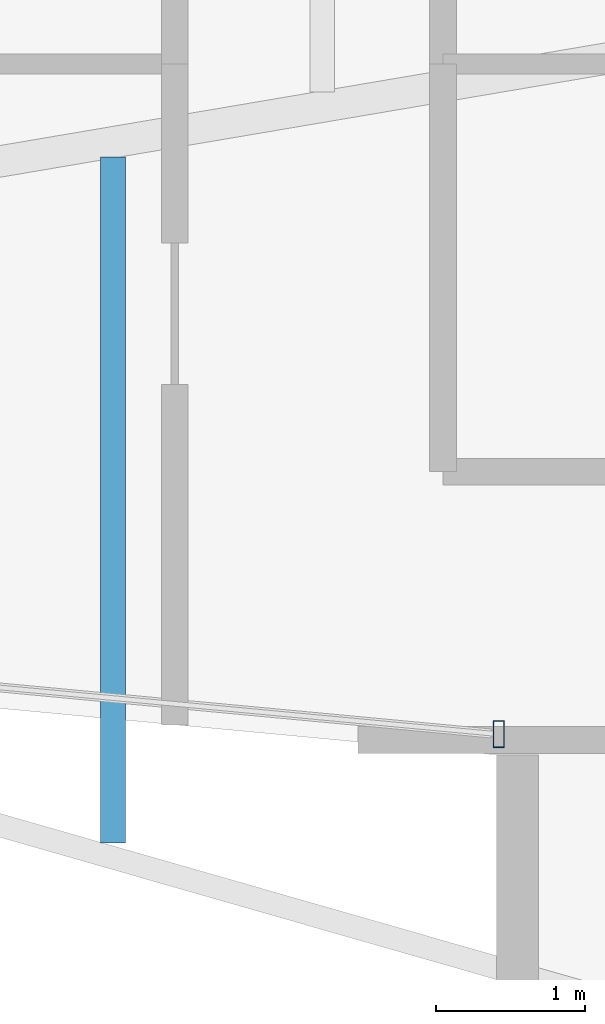
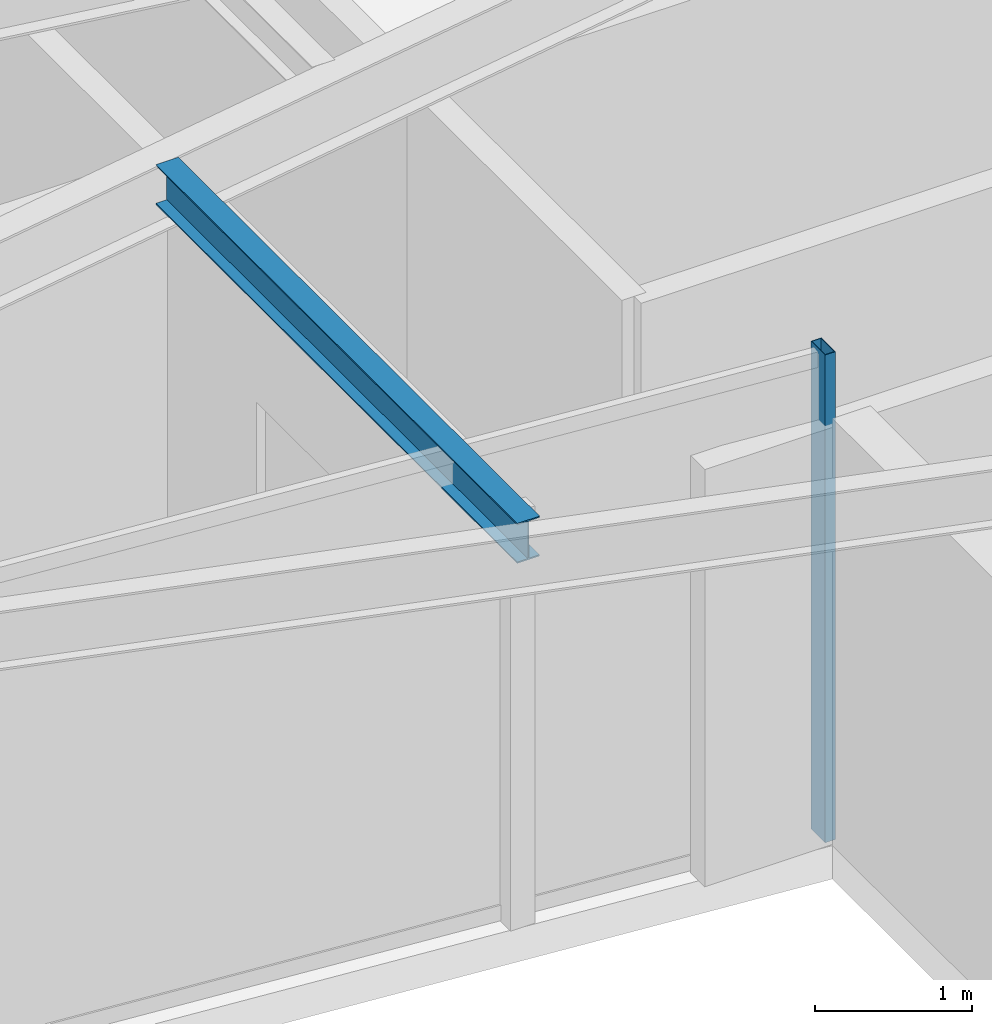
# One storey, part 4 of 22: 1 beam, 1 member, 1 element without a shape of its own.
"""IFC4 building model written with IfcOpenShell, lengths in metres."""

from ifc_helpers import new_model, si_unit, direction, frame, origin, origin_2d, place, context, subcontext, project, spatial, hollow_rectangle, i_section, extrude, material, layer, layer_set, material_profile, profile_set, type_object, element, aggregate, save


model = new_model("IFC4")

# Units and contexts
model_context = context("Model", 3, precision=1e-05, world=origin(), true_north=direction((0.0, 1.0)))
body_context = subcontext(model_context, "Body", "Model", "MODEL_VIEW")
ifc_project = project(units=[si_unit("LENGTHUNIT", "METRE"), si_unit("AREAUNIT", "SQUARE_METRE"), si_unit("VOLUMEUNIT", "CUBIC_METRE"), si_unit("PLANEANGLEUNIT", "RADIAN"), si_unit("MASSUNIT", "GRAM", prefix="KILO")], contexts=[model_context])

# Site, building, storey
site_placement = place(None, origin())
site = spatial("IfcSite", under=ifc_project, at=site_placement, CompositionType="ELEMENT")
building_placement = place(site_placement, origin())
building = spatial("IfcBuilding", under=site, at=building_placement, Name="Veymaron Broadcast Tower", CompositionType="ELEMENT")
storey_placement = place(building_placement, frame((0.0, 0.0, 216.14990234375)))
storey = spatial("IfcBuildingStorey", under=building, at=storey_placement, Name="L50", CompositionType="ELEMENT", Elevation=216.14990234375)

# Beam
ifc_material_1 = material(Name="Structural steel ASTM A992 Gr 50", Category="steel")
ifc_material_profile_1 = material_profile(ifc_material_1, i_section(OverallWidth=0.1650390625, OverallDepth=0.31005859375, WebThickness=0.005859375, FlangeThickness=0.009765625, at=origin_2d()), Name="W310X39")
ifc_profile_set_1 = profile_set([ifc_material_profile_1], Name="Structural steel ASTM A992 Gr 50")
beam_type = type_object("IfcBeamType", Name="BM-JS3", PredefinedType="JOIST", material=ifc_profile_set_1)
beam_placement = place(storey_placement, frame((24.18603515625, 18.110107421875, 3.635009765625), z_axis=(0.0, 1.0, 0.0), x_axis=(-1.0, 0.0, 0.0)))
element("IfcBeam", 1, at=beam_placement, inside=storey, type_object=beam_type, Name="L50 Arm-A secondary joist 2S", PredefinedType="JOIST", context=body_context, shape_type="SweptSolid", body=[
    extrude(i_section(OverallWidth=0.1650390625, OverallDepth=0.31005859375, WebThickness=0.005859375, FlangeThickness=0.009765625, at=origin_2d()), origin(), (0.0, 0.0, 1.0), 4.599853515625),
])

# Curtain wall, member
ifc_material_2 = material(Name="Anodised aluminium AA 6063-T6 and laminated low-E dark glass", Category="aluminium")
ifc_layer = layer(ifc_material_2, 0.179931640625)
ifc_layer_set = layer_set([ifc_layer], Name="Anodised aluminium AA 6063-T6 and laminated low-E dark glass")
curtain_wall_type = type_object("IfcCurtainWallType", Name="CW-SYS-05", PredefinedType="NOTDEFINED", material=ifc_layer_set)
curtain_wall_placement = place(storey_placement, origin())
curtain_wall = element("IfcCurtainWall", 2, at=curtain_wall_placement, inside=storey, type_object=curtain_wall_type, Name="L50 dark-glass curtain wall CW-L50-E14-1", PredefinedType="NOTDEFINED")
ifc_material_3 = material(Name="Anodised aluminium AA 6063-T6", Category="aluminium")
ifc_material_profile_2 = material_profile(ifc_material_3, hollow_rectangle(XDim=0.074951171875, YDim=0.179931640625, WallThickness=0.0048828125, at=origin_2d()), Name="AL180X75X5")
ifc_profile_set_2 = profile_set([ifc_material_profile_2], Name="Anodised aluminium AA 6063-T6")
member_type = type_object("IfcMemberType", Name="CW-MUL-02", PredefinedType="MULLION", material=ifc_profile_set_2)
member_placement = place(storey_placement, frame((26.773193359375, 18.839111328125, 0.0), z_axis=(0.0, 0.0, 1.0), x_axis=(1.0, 0.0, 0.0)))
member = element("IfcMember", 3, at=member_placement, type_object=member_type, Name="CW-L50-E14-1 mullion 2", PredefinedType="MULLION", context=body_context, shape_type="SweptSolid", body=[
    extrude(hollow_rectangle(XDim=0.074951171875, YDim=0.179931640625, WallThickness=0.0048828125, at=origin_2d()), origin(), (0.0, 0.0, 1.0), 3.7900390625),
])
aggregate(curtain_wall, [member])

save(model, "model.ifc")
